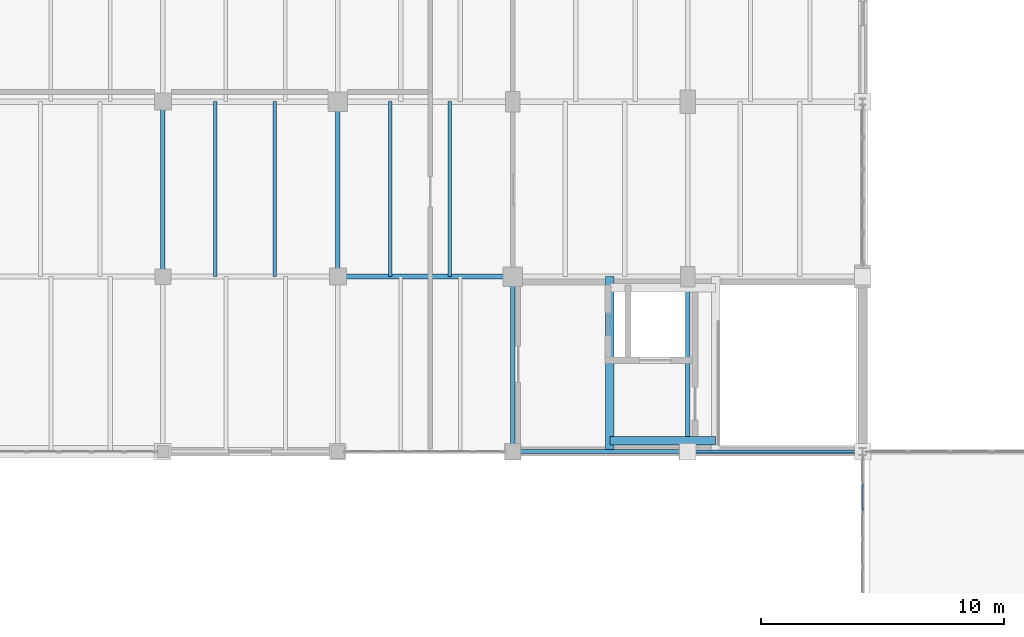
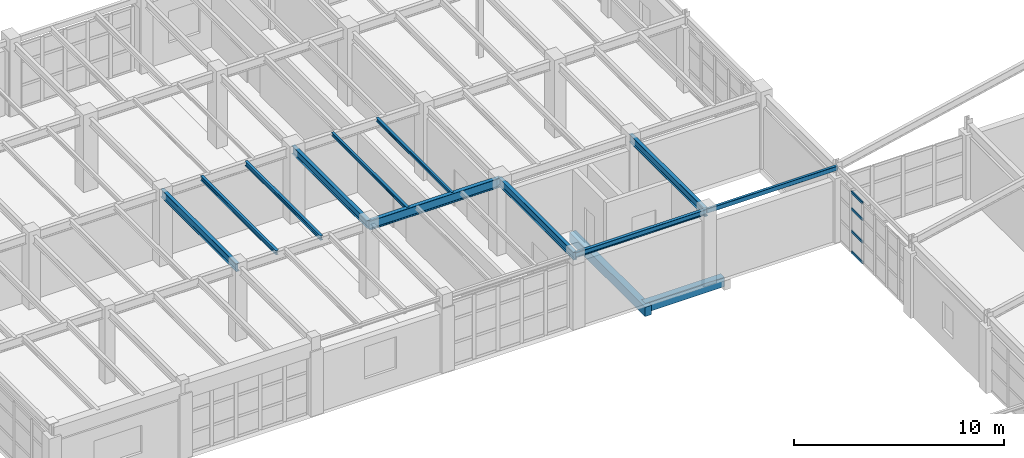
# One storey, part 84 of 137: 13 beams, 4 members, 1 element without a shape of its own.
"""IFC4 building model written with IfcOpenShell, lengths in metres."""

from ifc_helpers import new_model, si_unit, direction, frame, origin, origin_2d, place, context, subcontext, project, spatial, rectangle, hollow_rectangle, i_section, extrude, material, layer, layer_set, material_profile, profile_set, type_object, element, aggregate, save


model = new_model("IFC4")

# Units and contexts
model_context = context("Model", 3, precision=1e-05, world=origin(), true_north=direction((0.0, 1.0)))
body_context = subcontext(model_context, "Body", "Model", "MODEL_VIEW")
ifc_project = project(units=[si_unit("LENGTHUNIT", "METRE"), si_unit("AREAUNIT", "SQUARE_METRE"), si_unit("VOLUMEUNIT", "CUBIC_METRE"), si_unit("PLANEANGLEUNIT", "RADIAN"), si_unit("MASSUNIT", "GRAM", prefix="KILO")], contexts=[model_context])

# Site, building, storey
site_placement = place(None, origin())
site = spatial("IfcSite", under=ifc_project, at=site_placement, CompositionType="ELEMENT")
building_placement = place(site_placement, origin())
building = spatial("IfcBuilding", under=site, at=building_placement, Name="Kemerveld Promenade Tramway Depot", CompositionType="ELEMENT")
storey_placement = place(building_placement, frame((0.0, 0.0, 5.39990234375)))
storey = spatial("IfcBuildingStorey", under=building, at=storey_placement, Name="L01", CompositionType="ELEMENT", Elevation=5.39990234375)

# Beams
ifc_material_1 = material(Name="Steel S355", Category="steel")
ifc_material_profile_1 = material_profile(ifc_material_1, i_section(OverallWidth=0.2099609375, OverallDepth=0.53662109375, WebThickness=0.0107421875, FlangeThickness=0.017333984375, FilletRadius=0.0126953125, at=origin_2d()), Name="533x210x101 UB")
ifc_profile_set_1 = profile_set([ifc_material_profile_1], Name="Steel S355")
beam_type_1 = type_object("IfcBeamType", Name="BM-G05", PredefinedType="BEAM", material=ifc_profile_set_1)
beam_1_placement = place(storey_placement, frame((136.800048828125, 57.60009765625, 3.9716796875), z_axis=(1.0, 0.0, 0.0), x_axis=(0.0, 1.0, 0.0)))
element("IfcBeam", 1, at=beam_1_placement, inside=storey, type_object=beam_type_1, Name="BMX-L01-20-21-J", PredefinedType="BEAM", context=body_context, shape_type="SweptSolid", body=[
    extrude(i_section(OverallWidth=0.2099609375, OverallDepth=0.53662109375, WebThickness=0.0107421875, FlangeThickness=0.017333984375, FilletRadius=0.0126953125, at=origin_2d()), origin(), (0.0, 0.0, 1.0), 7.199951171875),
])
ifc_material_profile_2 = material_profile(ifc_material_1, i_section(OverallWidth=0.19140625, OverallDepth=0.4599609375, WebThickness=0.010009765625, FlangeThickness=0.01611328125, FilletRadius=0.01025390625, at=origin_2d()), Name="457x191x82 UB")
ifc_profile_set_2 = profile_set([ifc_material_profile_2], Name="Steel S355")
beam_type_2 = type_object("IfcBeamType", Name="BM-G06", PredefinedType="BEAM", material=ifc_profile_set_2)
for number, where, z_axis, x_axis, name in (
    (2, (129.60009765625, 57.60009765625, 4.010009765625), (0.0, 1.0, 0.0), (-1.0, 0.0, 0.0), "BMY-L01-19-J-K"),
    (3, (136.800048828125, 57.60009765625, 4.010009765625), (0.0, 1.0, 0.0), (-1.0, 0.0, 0.0), "BMY-L01-20-J-K"),
):
    element("IfcBeam", number, at=place(storey_placement, frame(where, z_axis=z_axis, x_axis=x_axis)), inside=storey, type_object=beam_type_2, Name=name, PredefinedType="BEAM", context=body_context, shape_type="SweptSolid", body=[
        extrude(i_section(OverallWidth=0.19140625, OverallDepth=0.4599609375, WebThickness=0.010009765625, FlangeThickness=0.01611328125, FilletRadius=0.01025390625, at=origin_2d()), origin(), (0.0, 0.0, 1.0), 7.199951171875),
    ])
for number, where, z_axis, x_axis, name in (
    (4, (144.0, 50.39990234375, 4.010009765625), (0.0, 1.0, 0.0), (-1.0, 0.0, 0.0), "BMY-L01-21-H-J"),
    (5, (151.199951171875, 50.39990234375, 4.010009765625), (0.0, 1.0, 0.0), (-1.0, 0.0, 0.0), "BMY-L01-22-H-J"),
):
    element("IfcBeam", number, at=place(storey_placement, frame(where, z_axis=z_axis, x_axis=x_axis)), inside=storey, type_object=beam_type_2, Name=name, PredefinedType="BEAM", context=body_context, shape_type="SweptSolid", body=[
        extrude(i_section(OverallWidth=0.19140625, OverallDepth=0.4599609375, WebThickness=0.010009765625, FlangeThickness=0.01611328125, FilletRadius=0.01025390625, at=origin_2d()), origin(), (0.0, 0.0, 1.0), 7.2001953125),
    ])
ifc_material_profile_3 = material_profile(ifc_material_1, i_section(OverallWidth=0.165771484375, OverallDepth=0.306640625, WebThickness=0.006591796875, FlangeThickness=0.01171875, FilletRadius=0.0087890625, at=origin_2d()), Name="305x165x46 UB")
ifc_profile_set_3 = profile_set([ifc_material_profile_3], Name="Steel S355")
beam_type_3 = type_object("IfcBeamType", Name="BM-G16", PredefinedType="BEAM", material=ifc_profile_set_3)
beam_2_placement = place(storey_placement, frame((144.0, 50.39990234375, 4.0869140625), z_axis=(1.0, 0.0, 0.0), x_axis=(0.0, 1.0, 0.0)))
element("IfcBeam", 6, at=beam_2_placement, inside=storey, type_object=beam_type_3, Name="BMX-L01-21-22-H", PredefinedType="BEAM", context=body_context, shape_type="SweptSolid", body=[
    extrude(i_section(OverallWidth=0.165771484375, OverallDepth=0.306640625, WebThickness=0.006591796875, FlangeThickness=0.01171875, FilletRadius=0.0087890625, at=origin_2d()), origin(), (0.0, 0.0, 1.0), 7.199951171875),
])
ifc_material_profile_4 = material_profile(ifc_material_1, hollow_rectangle(XDim=0.14990234375, YDim=0.25, WallThickness=0.010009765625, InnerFilletRadius=0.0048828125, OuterFilletRadius=0.014892578125, at=origin_2d()), Name="250x150x10.0 RHS")
ifc_profile_set_4 = profile_set([ifc_material_profile_4], Name="Steel S355")
beam_type_4 = type_object("IfcBeamType", Name="BM-G17", PredefinedType="BEAM", material=ifc_profile_set_4)
beam_3_placement = place(storey_placement, frame((151.199951171875, 50.39990234375, 4.114990234375), z_axis=(1.0, 0.0, 0.0), x_axis=(0.0, 1.0, 0.0)))
element("IfcBeam", 7, at=beam_3_placement, inside=storey, type_object=beam_type_4, Name="BMX-L01-22-23-H", PredefinedType="BEAM", context=body_context, shape_type="SweptSolid", body=[
    extrude(hollow_rectangle(XDim=0.14990234375, YDim=0.25, WallThickness=0.010009765625, InnerFilletRadius=0.0048828125, OuterFilletRadius=0.014892578125, at=origin_2d()), origin(), (0.0, 0.0, 1.0), 7.199951171875),
])
ifc_material_profile_5 = material_profile(ifc_material_1, i_section(OverallWidth=0.146484375, OverallDepth=0.256103515625, WebThickness=0.00634765625, FlangeThickness=0.010986328125, FilletRadius=0.007568359375, at=origin_2d()), Name="254x146x37 UB")
ifc_profile_set_5 = profile_set([ifc_material_profile_5], Name="Steel S355")
beam_type_5 = type_object("IfcBeamType", Name="BM-J02", PredefinedType="JOIST", material=ifc_profile_set_5)
for number, where, z_axis, x_axis, name in (
    (8, (131.760009765625, 57.60009765625, 4.112060546875), (0.0, 1.0, 0.0), (-1.0, 0.0, 0.0), "JST-L01-19-J-1"),
    (9, (134.2080078125, 57.60009765625, 4.112060546875), (0.0, 1.0, 0.0), (-1.0, 0.0, 0.0), "JST-L01-19-J-2"),
):
    element("IfcBeam", number, at=place(storey_placement, frame(where, z_axis=z_axis, x_axis=x_axis)), inside=storey, type_object=beam_type_5, Name=name, PredefinedType="JOIST", context=body_context, shape_type="SweptSolid", body=[
        extrude(i_section(OverallWidth=0.146484375, OverallDepth=0.256103515625, WebThickness=0.00634765625, FlangeThickness=0.010986328125, FilletRadius=0.007568359375, at=origin_2d()), origin(), (0.0, 0.0, 1.0), 7.199951171875),
    ])
ifc_material_profile_6 = material_profile(ifc_material_1, i_section(OverallWidth=0.13330078125, OverallDepth=0.203125, WebThickness=0.005615234375, FlangeThickness=0.0078125, FilletRadius=0.007568359375, at=origin_2d()), Name="203x133x25 UB")
ifc_profile_set_6 = profile_set([ifc_material_profile_6], Name="Steel S355")
beam_type_6 = type_object("IfcBeamType", Name="BM-J03", PredefinedType="JOIST", material=ifc_profile_set_6)
for number, where, z_axis, x_axis, name in (
    (10, (138.9599609375, 57.60009765625, 4.138427734375), (0.0, 1.0, 0.0), (-1.0, 0.0, 0.0), "JST-L01-20-J-1"),
    (11, (141.407958984375, 57.60009765625, 4.138427734375), (0.0, 1.0, 0.0), (-1.0, 0.0, 0.0), "JST-L01-20-J-2"),
):
    element("IfcBeam", number, at=place(storey_placement, frame(where, z_axis=z_axis, x_axis=x_axis)), inside=storey, type_object=beam_type_6, Name=name, PredefinedType="JOIST", context=body_context, shape_type="SweptSolid", body=[
        extrude(i_section(OverallWidth=0.13330078125, OverallDepth=0.203125, WebThickness=0.005615234375, FlangeThickness=0.0078125, FilletRadius=0.007568359375, at=origin_2d()), origin(), (0.0, 0.0, 1.0), 7.199951171875),
    ])
ifc_material_2 = material(Name="Concrete C40/50", Category="concrete")
ifc_material_profile_7 = material_profile(ifc_material_2, rectangle(XDim=0.35009765625, YDim=0.550048828125, at=origin_2d()), Name="RC-BM-350x550")
ifc_profile_set_7 = profile_set([ifc_material_profile_7], Name="Concrete C40/50")
beam_type_7 = type_object("IfcBeamType", Name="BM-RC3", PredefinedType="BEAM", material=ifc_profile_set_7)
beam_4_placement = place(storey_placement, frame((148.0, 50.39990234375, -0.599853515625), z_axis=(0.0, 1.0, 0.0), x_axis=(-1.0, 0.0, 0.0)))
element("IfcBeam", 12, at=beam_4_placement, inside=storey, type_object=beam_type_7, Name="BM-CORE-C6-L01-E", PredefinedType="BEAM", context=body_context, shape_type="SweptSolid", body=[
    extrude(rectangle(XDim=0.35009765625, YDim=0.550048828125, at=origin_2d()), origin(), (0.0, 0.0, 1.0), 7.2001953125),
])
beam_5_placement = place(storey_placement, frame((148.0, 50.85009765625, -0.599853515625), z_axis=(1.0, 0.0, 0.0), x_axis=(0.0, 1.0, 0.0)))
element("IfcBeam", 13, at=beam_5_placement, inside=storey, type_object=beam_type_7, Name="BM-COREX-C6-L01-S", PredefinedType="BEAM", context=body_context, shape_type="SweptSolid", body=[
    extrude(rectangle(XDim=0.35009765625, YDim=0.550048828125, at=origin_2d()), origin(), (0.0, 0.0, 1.0), 4.35009765625),
])

# Curtain wall, members
ifc_material_3 = material(Name="Bronze anodised aluminium and solar glass", Category="aluminium")
ifc_layer = layer(ifc_material_3, 0.199951171875)
ifc_layer_set = layer_set([ifc_layer], Name="CW-SYS-06")
curtain_wall_type = type_object("IfcCurtainWallType", Name="CW-SYS-06", PredefinedType="USERDEFINED", material=ifc_layer_set)
curtain_wall_placement = place(storey_placement, origin())
curtain_wall = element("IfcCurtainWall", 14, at=curtain_wall_placement, inside=storey, type_object=curtain_wall_type, Name="CW-L01-V2W-03", ObjectType="GLAZED_CURTAIN_WALL", PredefinedType="USERDEFINED")
ifc_material_4 = material(Name="Bronze anodised aluminium", Category="aluminium")
ifc_material_profile_8 = material_profile(ifc_material_4, hollow_rectangle(XDim=0.06494140625, YDim=0.14990234375, WallThickness=0.00439453125, InnerFilletRadius=0.001953125, OuterFilletRadius=0.00439453125, at=origin_2d()), Name="CW-TRN-150x65")
ifc_profile_set_8 = profile_set([ifc_material_profile_8], Name="Bronze anodised aluminium")
member_type = type_object("IfcMemberType", Name="CW-TRN-B", PredefinedType="USERDEFINED", material=ifc_profile_set_8)
member_1_placement = place(storey_placement, frame((158.39990234375, 47.978515625, 0.03271484375), z_axis=(0.0, 1.0, 0.0), x_axis=(-1.0, 0.0, 0.0)))
member_1 = element("IfcMember", 15, at=member_1_placement, type_object=member_type, Name="CW06 transom 5.1", ObjectType="TRANSOM", PredefinedType="USERDEFINED", context=body_context, shape_type="SweptSolid", body=[
    extrude(hollow_rectangle(XDim=0.06494140625, YDim=0.14990234375, WallThickness=0.00439453125, InnerFilletRadius=0.001953125, OuterFilletRadius=0.00439453125, at=origin_2d()), origin(), (0.0, 0.0, 1.0), 1.065673828125),
])
member_2_placement = place(storey_placement, frame((158.39990234375, 47.978515625, 1.236083984375), z_axis=(0.0, 1.0, 0.0), x_axis=(-1.0, 0.0, 0.0)))
member_2 = element("IfcMember", 16, at=member_2_placement, type_object=member_type, Name="CW06 transom 5.2", ObjectType="TRANSOM", PredefinedType="USERDEFINED", context=body_context, shape_type="SweptSolid", body=[
    extrude(hollow_rectangle(XDim=0.06494140625, YDim=0.14990234375, WallThickness=0.00439453125, InnerFilletRadius=0.001953125, OuterFilletRadius=0.00439453125, at=origin_2d()), origin(), (0.0, 0.0, 1.0), 1.065673828125),
])
member_3_placement = place(storey_placement, frame((158.39990234375, 47.978515625, 2.543212890625), z_axis=(0.0, 1.0, 0.0), x_axis=(-1.0, 0.0, 0.0)))
member_3 = element("IfcMember", 17, at=member_3_placement, type_object=member_type, Name="CW06 transom 5.3", ObjectType="TRANSOM", PredefinedType="USERDEFINED", context=body_context, shape_type="SweptSolid", body=[
    extrude(hollow_rectangle(XDim=0.06494140625, YDim=0.14990234375, WallThickness=0.00439453125, InnerFilletRadius=0.001953125, OuterFilletRadius=0.00439453125, at=origin_2d()), origin(), (0.0, 0.0, 1.0), 1.065673828125),
])
member_4_placement = place(storey_placement, frame((158.39990234375, 47.978515625, 3.500244140625), z_axis=(0.0, 1.0, 0.0), x_axis=(-1.0, 0.0, 0.0)))
member_4 = element("IfcMember", 18, at=member_4_placement, type_object=member_type, Name="CW06 transom 5.4", ObjectType="TRANSOM", PredefinedType="USERDEFINED", context=body_context, shape_type="SweptSolid", body=[
    extrude(hollow_rectangle(XDim=0.06494140625, YDim=0.14990234375, WallThickness=0.00439453125, InnerFilletRadius=0.001953125, OuterFilletRadius=0.00439453125, at=origin_2d()), origin(), (0.0, 0.0, 1.0), 1.065673828125),
])
aggregate(curtain_wall, [member_1, member_2, member_3, member_4])

save(model, "model.ifc")
